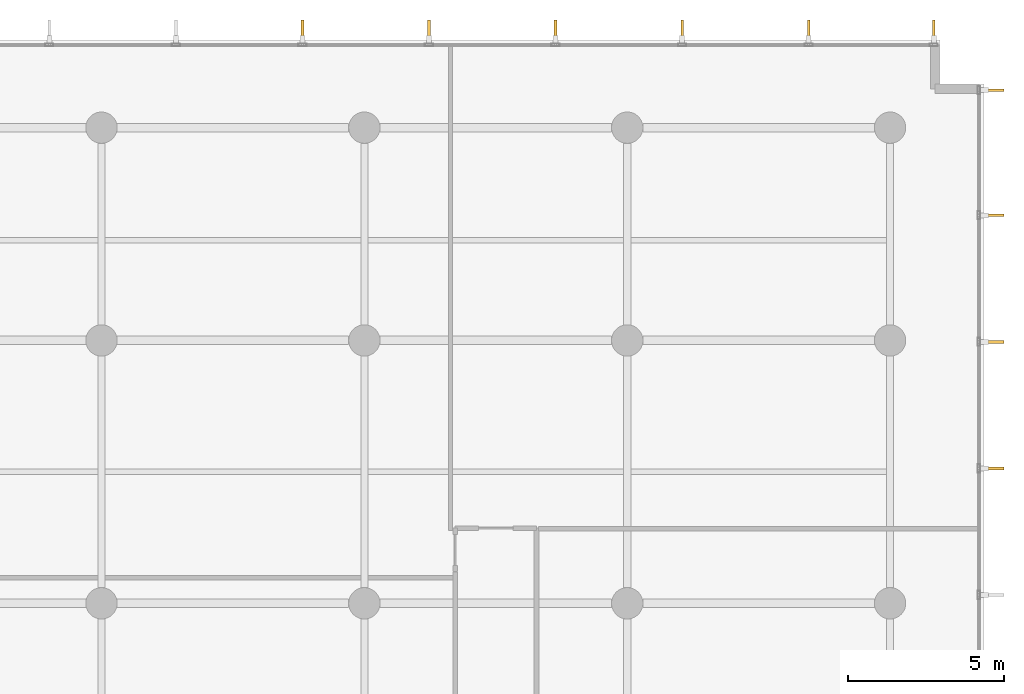
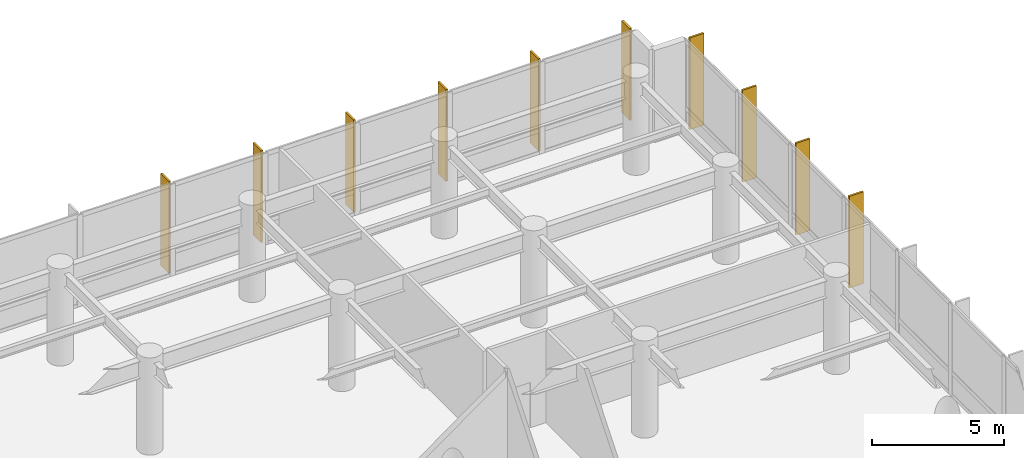
# One storey, part 26 of 26: 10 shading devices.
"""IFC4 building model written with IfcOpenShell, lengths in metres."""

from ifc_helpers import new_model, si_unit, direction, frame, origin, origin_2d, place, context, subcontext, project, spatial, rectangle, extrude, material, layer, layer_set, type_object, element, save


model = new_model("IFC4")

# Units and contexts
model_context = context("Model", 3, precision=1e-05, world=origin(), true_north=direction((0.0, 1.0)))
body_context = subcontext(model_context, "Body", "Model", "MODEL_VIEW")
ifc_project = project(units=[si_unit("LENGTHUNIT", "METRE"), si_unit("AREAUNIT", "SQUARE_METRE"), si_unit("VOLUMEUNIT", "CUBIC_METRE"), si_unit("PLANEANGLEUNIT", "RADIAN"), si_unit("MASSUNIT", "GRAM", prefix="KILO")], contexts=[model_context])

# Site, building, storey
site_placement = place(None, origin())
site = spatial("IfcSite", under=ifc_project, at=site_placement, CompositionType="ELEMENT")
building_placement = place(site_placement, origin())
building = spatial("IfcBuilding", under=site, at=building_placement, Name="Varnakote Quay Hospital", CompositionType="ELEMENT")
storey_placement = place(building_placement, frame((0.0, 0.0, 9.0)))
storey = spatial("IfcBuildingStorey", under=building, at=storey_placement, Name="L02", CompositionType="ELEMENT", Elevation=9.0)

# Shading devices
ifc_material = material(Name="Anodised aluminium 6063-T6 Bronze", Category="aluminium")
ifc_layer = layer(ifc_material, 0.0849609375)
ifc_layer_set = layer_set([ifc_layer], Name="Anodised aluminium 6063-T6 Bronze")
shading_device_type = type_object("IfcShadingDeviceType", Name="SHD-BRONZE-FIN-620", PredefinedType="USERDEFINED", material=ifc_layer_set)
for number, where, z_axis, x_axis, name in (
    (1, (87.330078125, 33.109130859375, 0.0), (0.0, 0.0, 1.0), (-1.0, 0.0, 0.0), "L02 Anodised Bronze Vertical Shading FIN"),
    (2, (87.330078125, 37.152587890625, 0.0), (0.0, 0.0, 1.0), (-1.0, 0.0, 0.0), "L02 Anodised Bronze Vertical Shading FIN"),
    (3, (87.330078125, 41.1962890625, 0.0), (0.0, 0.0, 1.0), (-1.0, 0.0, 0.0), "L02 Anodised Bronze Vertical Shading FIN"),
    (4, (87.330078125, 45.197509765625, 0.0), (0.0, 0.0, 1.0), (-1.0, 0.0, 0.0), "L02 Anodised Bronze Vertical Shading FIN"),
    (5, (85.3974609375, 47.1298828125, 0.0), (0.0, 0.0, 1.0), (0.0, -1.0, 0.0), "L02 Anodised Bronze Vertical Shading FIN"),
    (6, (81.396484375, 47.1298828125, 0.0), (0.0, 0.0, 1.0), (0.0, -1.0, 0.0), "L02 Anodised Bronze Vertical Shading FIN"),
    (7, (77.35302734375, 47.1298828125, 0.0), (0.0, 0.0, 1.0), (0.0, -1.0, 0.0), "L02 Anodised Bronze Vertical Shading FIN"),
    (8, (73.3095703125, 47.1298828125, 0.0), (0.0, 0.0, 1.0), (0.0, -1.0, 0.0), "L02 Anodised Bronze Vertical Shading FIN"),
    (9, (69.26611328125, 47.1298828125, 0.0), (0.0, 0.0, 1.0), (0.0, -1.0, 0.0), "L02 Anodised Bronze Vertical Shading FIN"),
    (10, (65.222412109375, 47.1298828125, 0.0), (0.0, 0.0, 1.0), (0.0, -1.0, 0.0), "L02 Anodised Bronze Vertical Shading FIN"),
):
    element("IfcShadingDevice", number, at=place(storey_placement, frame(where, z_axis=z_axis, x_axis=x_axis)), inside=storey, type_object=shading_device_type, Name=name, ObjectType="FIN", PredefinedType="USERDEFINED", context=body_context, shape_type="SweptSolid", body=[
        extrude(rectangle(XDim=0.6201171875, YDim=0.0849609375, at=origin_2d()), origin(), (0.0, 0.0, 1.0), 4.25),
    ])

save(model, "model.ifc")
